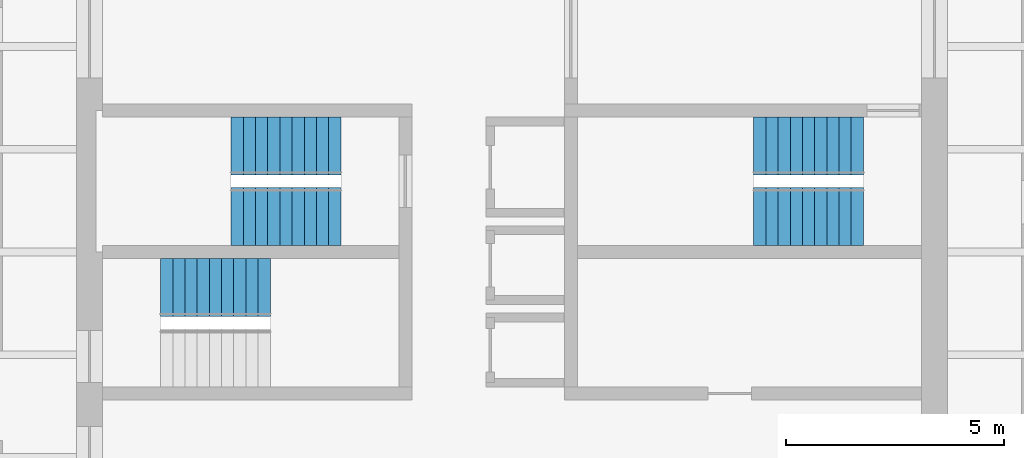
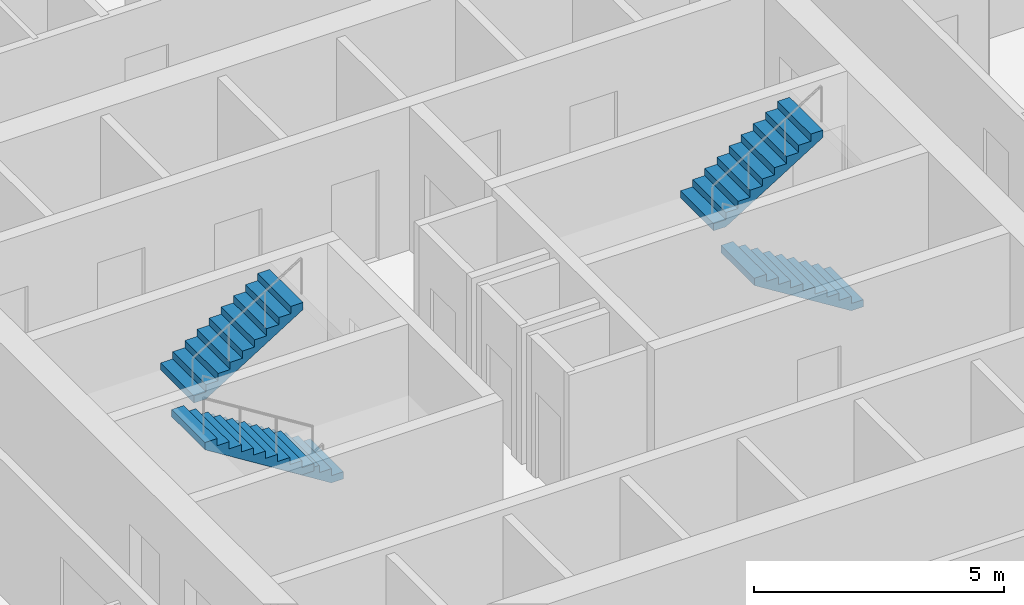
# One storey, part 8 of 9: 5 stair flights, 3 elements without a shape of their own.
"""IFC4 building model written with IfcOpenShell, lengths in metres."""

import ifcopenshell
import ifcopenshell.guid

model = None  # the IFC model being written
_history = None  # IfcOwnerHistory: only IFC2X3 demands one
_inside = {}  # id of a spatial element -> (the spatial element, [elements in it])
_under = {}  # id of a project, library or spatial element -> (it, [spatial elements below it])
_declared = {}  # id of a project -> (the project, [libraries it declares])
_typed = {}  # id of a type object -> (the type object, [elements of that type])
_made_of = {}  # id of a material, layer set ... -> (it, [elements and type objects made of it])


def new_model(schema):
    """Start an empty IFC model of exactly this schema.

    Asked for "IFC4X3", IfcOpenShell would pick the latest addendum, in which some entities
    have other attributes; the version numbers below select the first issue.
    IFC2X3 requires an IfcOwnerHistory on every rooted entity: one is made here for all.
    """
    global model, _history
    if schema == "IFC4X3":
        model = ifcopenshell.file(schema_version=(4, 3, 0, 0))
    else:
        model = ifcopenshell.file(schema=schema)
    _inside.clear()
    _under.clear()
    _declared.clear()
    _typed.clear()
    _made_of.clear()
    _history = None
    if model.schema == "IFC2X3":
        org = make("IfcOrganization", Name="unknown")
        user = make(
            "IfcPersonAndOrganization",
            ThePerson=make("IfcPerson", FamilyName="unknown"),
            TheOrganization=org,
        )
        app = make(
            "IfcApplication",
            ApplicationDeveloper=org,
            Version="unknown",
            ApplicationFullName="unknown",
            ApplicationIdentifier="unknown",
        )
        _history = make(
            "IfcOwnerHistory",
            OwningUser=user,
            OwningApplication=app,
            ChangeAction="ADDED",
            CreationDate=0,
        )
    return model


def make(cls, **values):
    """One entity of the class cls with the attributes given. An attribute that is None is left unset."""
    return model.create_entity(
        cls, **{name: value for name, value in values.items() if value is not None}
    )


def rooted(cls, **values):
    """An entity with a GlobalId (a new one), such as an element, a storey or a relation."""
    return make(cls, GlobalId=ifcopenshell.guid.new(), OwnerHistory=_history, **values)


def si_unit(unit_type, name, prefix=None):
    """IfcSIUnit, for example si_unit("LENGTHUNIT", "METRE", prefix="MILLI")."""
    return make("IfcSIUnit", UnitType=unit_type, Prefix=prefix, Name=name)


def assignment(units):
    """IfcUnitAssignment: the units of a project."""
    return None if units is None else make("IfcUnitAssignment", Units=units)


def point(xyz):
    """IfcCartesianPoint."""
    return None if xyz is None else make("IfcCartesianPoint", Coordinates=xyz)


def direction(xyz):
    """IfcDirection."""
    return None if xyz is None else make("IfcDirection", DirectionRatios=xyz)


def frame(location, z_axis=None, x_axis=None):
    """IfcAxis2Placement3D, a coordinate frame: its origin and axes. An axis left out is left unset."""
    return make(
        "IfcAxis2Placement3D",
        Location=point(location),
        Axis=direction(z_axis),
        RefDirection=direction(x_axis),
    )


def origin():
    """The frame at (0, 0, 0) with its axes left unset."""
    return frame((0.0, 0.0, 0.0))


def place(relative_to, where):
    """IfcLocalPlacement: puts the frame where relative to a parent placement (None: the world)."""
    return make(
        "IfcLocalPlacement", PlacementRelTo=relative_to, RelativePlacement=where
    )


def context(
    kind, dimensions, precision=None, world=None, true_north=None, identifier=None
):
    """IfcGeometricRepresentationContext, for example the 3D "Model" context."""
    return make(
        "IfcGeometricRepresentationContext",
        ContextIdentifier=identifier,
        ContextType=kind,
        CoordinateSpaceDimension=dimensions,
        Precision=precision,
        WorldCoordinateSystem=world,
        TrueNorth=true_north,
    )


def subcontext(parent, identifier, kind, view, scale=None):
    """IfcGeometricRepresentationSubContext, for example "Body" below "Model"."""
    return make(
        "IfcGeometricRepresentationSubContext",
        ContextIdentifier=identifier,
        ContextType=kind,
        ParentContext=parent,
        TargetScale=scale,
        TargetView=view,
    )


def project(units=None, contexts=None):
    """IfcProject with its units and contexts."""
    return rooted(
        "IfcProject",
        Name="project",
        RepresentationContexts=contexts,
        UnitsInContext=assignment(units),
    )


def spatial(cls, under=None, at=None, **own):
    """A site, building, storey or space (cls), placed at a placement, below another one or the project."""
    s = rooted(cls, ObjectPlacement=at, **own)
    if under is not None:
        _under.setdefault(under.id(), (under, []))[1].append(s)
    return s


def polyline(points):
    """IfcPolyline through the points."""
    return make("IfcPolyline", Points=[point(p) for p in points])


def outline(outer, holes=None, kind="AREA"):
    """IfcArbitraryClosedProfileDef: a profile drawn as a closed curve; with holes, ...WithVoids."""
    if holes is None:
        return make("IfcArbitraryClosedProfileDef", ProfileType=kind, OuterCurve=outer)
    return make(
        "IfcArbitraryProfileDefWithVoids",
        ProfileType=kind,
        OuterCurve=outer,
        InnerCurves=holes,
    )


def extrude(swept, where, along, depth):
    """IfcExtrudedAreaSolid: the profile swept, set in the frame where, extruded along a direction by depth."""
    return make(
        "IfcExtrudedAreaSolid",
        SweptArea=swept,
        Position=where,
        ExtrudedDirection=direction(along),
        Depth=depth,
    )


def shape(context_of_items, identifier, shape_type, items):
    """IfcShapeRepresentation: the items that make up one representation, for example the "Body"."""
    return make(
        "IfcShapeRepresentation",
        ContextOfItems=context_of_items,
        RepresentationIdentifier=identifier,
        RepresentationType=shape_type,
        Items=items,
    )


def material(Name=None, Category=None):
    """IfcMaterial."""
    return make("IfcMaterial", Name=Name, Category=Category)


def made_of(thing, what):
    """Note that an element or type object is made of a material, layer set ...; save() writes the relation."""
    if what is not None:
        _made_of.setdefault(what.id(), (what, []))[1].append(thing)
    return thing


def type_object(cls, material=None, **own):
    """A type object (cls), such as IfcWallType, which elements share."""
    return made_of(rooted(cls, **own), material)


def element(
    cls,
    number,
    at=None,
    inside=None,
    cuts=None,
    type_object=None,
    material=None,
    context=None,
    identifier="Body",
    shape_type=None,
    held_by="IfcProductDefinitionShape",
    body=None,
    shapes=None,
    **own,
):
    """One element of the class cls, such as IfcWall. Its Tag is "e" and its number.

    at: its placement. inside: the storey or other place that contains it. cuts: it is an
    opening in that element (IfcRelVoidsElement). A single representation is given by context,
    identifier, shape_type and body (its items); several are given by shapes. held_by: the class
    of the entity that holds the representations. save() writes the other relations.
    """
    e = rooted(cls, Tag="e%d" % number, ObjectPlacement=at, **own)
    if body is not None:
        shapes = [shape(context, identifier, shape_type, body)]
    if shapes is not None:
        e.Representation = make(held_by, Representations=shapes)
    if inside is not None:
        _inside.setdefault(inside.id(), (inside, []))[1].append(e)
    if cuts is not None:
        rooted(
            "IfcRelVoidsElement", RelatingBuildingElement=cuts, RelatedOpeningElement=e
        )
    if type_object is not None:
        _typed.setdefault(type_object.id(), (type_object, []))[1].append(e)
    return made_of(e, material)


def aggregate(whole, parts):
    """IfcRelAggregates: a whole, such as a stair, and the parts it consists of."""
    return rooted("IfcRelAggregates", RelatingObject=whole, RelatedObjects=parts)


def save(model, path):
    """Write the relations noted so far, then the file.

    IfcRelAggregates (storeys below a building ...), IfcRelContainedInSpatialStructure (elements
    in a storey), IfcRelDefinesByType, IfcRelAssociatesMaterial and IfcRelDeclares: one each for
    every whole, place, type object, material and project.
    """
    for whole, parts in _under.values():
        aggregate(whole, parts)
    for where, things in _inside.values():
        rooted(
            "IfcRelContainedInSpatialStructure",
            RelatedElements=things,
            RelatingStructure=where,
        )
    for kind, things in _typed.values():
        rooted("IfcRelDefinesByType", RelatedObjects=things, RelatingType=kind)
    for what, things in _made_of.values():
        rooted("IfcRelAssociatesMaterial", RelatedObjects=things, RelatingMaterial=what)
    for by, libraries in _declared.values():
        rooted("IfcRelDeclares", RelatingContext=by, RelatedDefinitions=libraries)
    model.write(path)


model = new_model("IFC4")

# Units and contexts
model_context = context("Model", 3, precision=1e-05, world=origin(), true_north=direction((0.0, 1.0)))
body_context = subcontext(model_context, "Body", "Model", "MODEL_VIEW")
ifc_project = project(units=[si_unit("LENGTHUNIT", "METRE"), si_unit("AREAUNIT", "SQUARE_METRE"), si_unit("VOLUMEUNIT", "CUBIC_METRE"), si_unit("PLANEANGLEUNIT", "RADIAN"), si_unit("MASSUNIT", "GRAM", prefix="KILO")], contexts=[model_context])

# Site, building, storey
site_placement = place(None, origin())
site = spatial("IfcSite", under=ifc_project, at=site_placement, CompositionType="ELEMENT")
building_placement = place(site_placement, origin())
building = spatial("IfcBuilding", under=site, at=building_placement, Name="Turquesa Mirador Hotel Tower", CompositionType="ELEMENT")
storey_placement = place(building_placement, frame((0.0, 0.0, 100.39990234375)))
storey = spatial("IfcBuildingStorey", under=building, at=storey_placement, Name="L26", CompositionType="ELEMENT", Elevation=100.39990234375)

# Stair, stair flights
ifc_material_1 = material(Name="Concrete C35/45", Category="concrete")
stair_type = type_object("IfcStairType", Name="ESCAPE STAIR CORE", PredefinedType="HALF_TURN_STAIR", material=ifc_material_1)
stair_1_placement = place(storey_placement, origin())
stair_1 = element("IfcStair", 1, at=stair_1_placement, inside=storey, type_object=stair_type, Name="Stair ST1 L26 to L27", PredefinedType="HALF_TURN_STAIR")
ifc_material_2 = material(Name="Concrete C35/45 precast flight", Category="concrete")
stair_flight_type = type_object("IfcStairFlightType", Name="STAIR FLIGHT 1330", PredefinedType="STRAIGHT", material=ifc_material_2)
stair_flight_1_placement = place(storey_placement, frame((51.070068359375, 45.81494140625, 0.0), z_axis=(0.0, 0.0, 1.0), x_axis=(-1.0, 0.0, 0.0)))
stair_flight_1 = element("IfcStairFlight", 2, at=stair_flight_1_placement, type_object=stair_flight_type, Name="ST1 flight 1", NumberOfRisers=10, NumberOfTreads=9, PredefinedType="STRAIGHT", RiserHeight=0.175, TreadLength=0.28, context=body_context, shape_type="SweptSolid", body=[
    extrude(outline(polyline([(0.0, 0.0), (0.0, 0.175048828125), (0.280029296875, 0.175048828125), (0.280029296875, 0.35009765625), (0.56005859375, 0.35009765625), (0.56005859375, 0.52490234375), (0.840087890625, 0.52490234375), (0.840087890625, 0.699951171875), (1.1201171875, 0.699951171875), (1.1201171875, 0.875), (1.39990234375, 0.875), (1.39990234375, 1.050048828125), (1.679931640625, 1.050048828125), (1.679931640625, 1.22509765625), (1.9599609375, 1.22509765625), (1.9599609375, 1.39990234375), (2.239990234375, 1.39990234375), (2.239990234375, 1.574951171875), (2.52001953125, 1.574951171875), (2.52001953125, 1.75), (2.52001953125, 1.398193359375), (0.28271484375, 0.0), (0.0, 0.0)])), frame((0.0, 0.6650390625, 0.0), z_axis=(0.0, -1.0, 0.0), x_axis=(1.0, 0.0, 0.0)), (0.0, 0.0, 1.0), 1.330078125),
])
stair_flight_2_placement = place(storey_placement, frame((48.550048828125, 47.43505859375, 1.75), z_axis=(0.0, 0.0, 1.0), x_axis=(1.0, 0.0, 0.0)))
stair_flight_2 = element("IfcStairFlight", 3, at=stair_flight_2_placement, type_object=stair_flight_type, Name="ST1 flight 2", NumberOfRisers=10, NumberOfTreads=9, PredefinedType="STRAIGHT", RiserHeight=0.175, TreadLength=0.28, context=body_context, shape_type="SweptSolid", body=[
    extrude(outline(polyline([(0.0, 0.0), (0.0, 0.175048828125), (0.280029296875, 0.175048828125), (0.280029296875, 0.35009765625), (0.56005859375, 0.35009765625), (0.56005859375, 0.52490234375), (0.840087890625, 0.52490234375), (0.840087890625, 0.699951171875), (1.1201171875, 0.699951171875), (1.1201171875, 0.875), (1.39990234375, 0.875), (1.39990234375, 1.050048828125), (1.679931640625, 1.050048828125), (1.679931640625, 1.22509765625), (1.9599609375, 1.22509765625), (1.9599609375, 1.39990234375), (2.239990234375, 1.39990234375), (2.239990234375, 1.574951171875), (2.52001953125, 1.574951171875), (2.52001953125, 1.75), (2.52001953125, 1.398193359375), (0.28271484375, 0.0), (0.0, 0.0)])), frame((0.0, 0.6650390625, 0.0), z_axis=(0.0, -1.0, 0.0), x_axis=(1.0, 0.0, 0.0)), (0.0, 0.0, 1.0), 1.330078125),
])
aggregate(stair_1, [stair_flight_1, stair_flight_2])

# Stair, stair flight
stair_2_placement = place(storey_placement, origin())
stair_2 = element("IfcStair", 4, at=stair_2_placement, inside=storey, type_object=stair_type, Name="Stair ST2 L26 to L27", PredefinedType="HALF_TURN_STAIR")
stair_flight_3_placement = place(storey_placement, frame((49.449951171875, 44.18505859375, 1.75), z_axis=(0.0, 0.0, 1.0), x_axis=(-1.0, 0.0, 0.0)))
stair_flight_3 = element("IfcStairFlight", 5, at=stair_flight_3_placement, type_object=stair_flight_type, Name="ST2 flight 2", NumberOfRisers=10, NumberOfTreads=9, PredefinedType="STRAIGHT", RiserHeight=0.175, TreadLength=0.28, context=body_context, shape_type="SweptSolid", body=[
    extrude(outline(polyline([(0.0, 0.0), (0.0, 0.175048828125), (0.280029296875, 0.175048828125), (0.280029296875, 0.35009765625), (0.56005859375, 0.35009765625), (0.56005859375, 0.52490234375), (0.840087890625, 0.52490234375), (0.840087890625, 0.699951171875), (1.1201171875, 0.699951171875), (1.1201171875, 0.875), (1.39990234375, 0.875), (1.39990234375, 1.050048828125), (1.679931640625, 1.050048828125), (1.679931640625, 1.22509765625), (1.9599609375, 1.22509765625), (1.9599609375, 1.39990234375), (2.239990234375, 1.39990234375), (2.239990234375, 1.574951171875), (2.52001953125, 1.574951171875), (2.52001953125, 1.75), (2.52001953125, 1.398193359375), (0.28271484375, 0.0), (0.0, 0.0)])), frame((0.0, 0.6650390625, 0.0), z_axis=(0.0, -1.0, 0.0), x_axis=(1.0, 0.0, 0.0)), (0.0, 0.0, 1.0), 1.330078125),
])
aggregate(stair_2, [stair_flight_3])

# Stair, stair flights
stair_3_placement = place(storey_placement, origin())
stair_3 = element("IfcStair", 6, at=stair_3_placement, inside=storey, type_object=stair_type, Name="Stair ST3 L26 to L27", PredefinedType="HALF_TURN_STAIR")
stair_flight_4_placement = place(storey_placement, frame((63.070068359375, 45.81494140625, 0.0), z_axis=(0.0, 0.0, 1.0), x_axis=(-1.0, 0.0, 0.0)))
stair_flight_4 = element("IfcStairFlight", 7, at=stair_flight_4_placement, type_object=stair_flight_type, Name="ST3 flight 1", NumberOfRisers=10, NumberOfTreads=9, PredefinedType="STRAIGHT", RiserHeight=0.175, TreadLength=0.28, context=body_context, shape_type="SweptSolid", body=[
    extrude(outline(polyline([(0.0, 0.0), (0.0, 0.175048828125), (0.280029296875, 0.175048828125), (0.280029296875, 0.35009765625), (0.56005859375, 0.35009765625), (0.56005859375, 0.52490234375), (0.840087890625, 0.52490234375), (0.840087890625, 0.699951171875), (1.1201171875, 0.699951171875), (1.1201171875, 0.875), (1.39990234375, 0.875), (1.39990234375, 1.050048828125), (1.679931640625, 1.050048828125), (1.679931640625, 1.22509765625), (1.9599609375, 1.22509765625), (1.9599609375, 1.39990234375), (2.239990234375, 1.39990234375), (2.239990234375, 1.574951171875), (2.52001953125, 1.574951171875), (2.52001953125, 1.75), (2.52001953125, 1.398193359375), (0.28271484375, 0.0), (0.0, 0.0)])), frame((0.0, 0.6650390625, 0.0), z_axis=(0.0, -1.0, 0.0), x_axis=(1.0, 0.0, 0.0)), (0.0, 0.0, 1.0), 1.330078125),
])
stair_flight_5_placement = place(storey_placement, frame((60.550048828125, 47.43505859375, 1.75), z_axis=(0.0, 0.0, 1.0), x_axis=(1.0, 0.0, 0.0)))
stair_flight_5 = element("IfcStairFlight", 8, at=stair_flight_5_placement, type_object=stair_flight_type, Name="ST3 flight 2", NumberOfRisers=10, NumberOfTreads=9, PredefinedType="STRAIGHT", RiserHeight=0.175, TreadLength=0.28, context=body_context, shape_type="SweptSolid", body=[
    extrude(outline(polyline([(0.0, 0.0), (0.0, 0.175048828125), (0.280029296875, 0.175048828125), (0.280029296875, 0.35009765625), (0.56005859375, 0.35009765625), (0.56005859375, 0.52490234375), (0.840087890625, 0.52490234375), (0.840087890625, 0.699951171875), (1.1201171875, 0.699951171875), (1.1201171875, 0.875), (1.39990234375, 0.875), (1.39990234375, 1.050048828125), (1.679931640625, 1.050048828125), (1.679931640625, 1.22509765625), (1.9599609375, 1.22509765625), (1.9599609375, 1.39990234375), (2.239990234375, 1.39990234375), (2.239990234375, 1.574951171875), (2.52001953125, 1.574951171875), (2.52001953125, 1.75), (2.52001953125, 1.398193359375), (0.28271484375, 0.0), (0.0, 0.0)])), frame((0.0, 0.6650390625, 0.0), z_axis=(0.0, -1.0, 0.0), x_axis=(1.0, 0.0, 0.0)), (0.0, 0.0, 1.0), 1.330078125),
])
aggregate(stair_3, [stair_flight_4, stair_flight_5])

save(model, "model.ifc")
